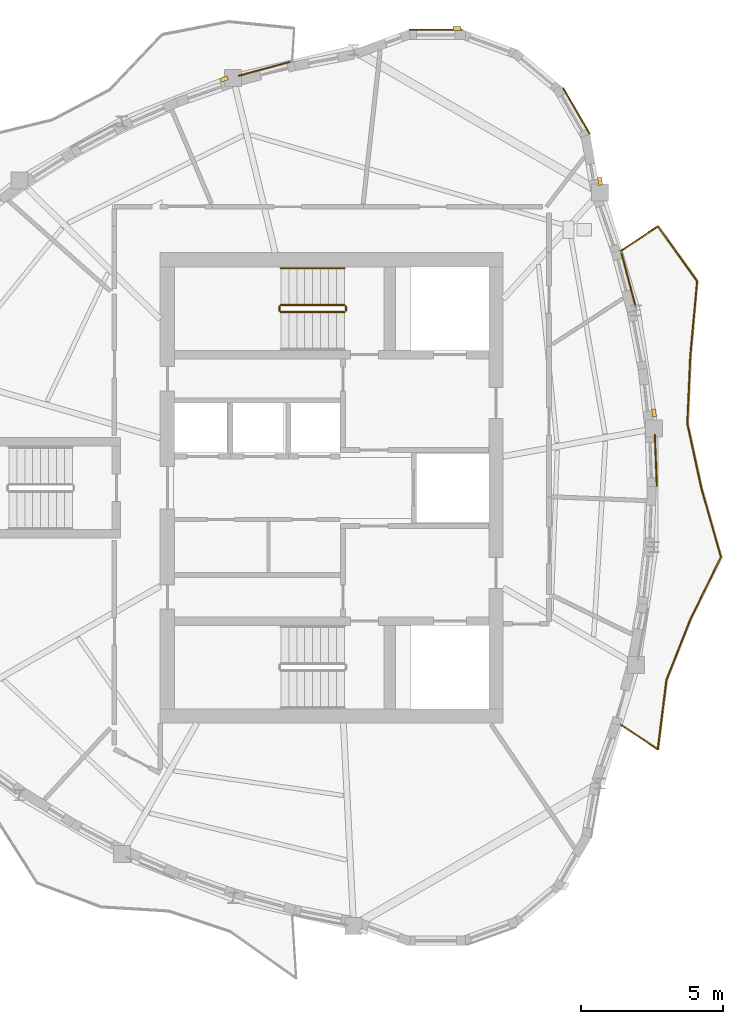
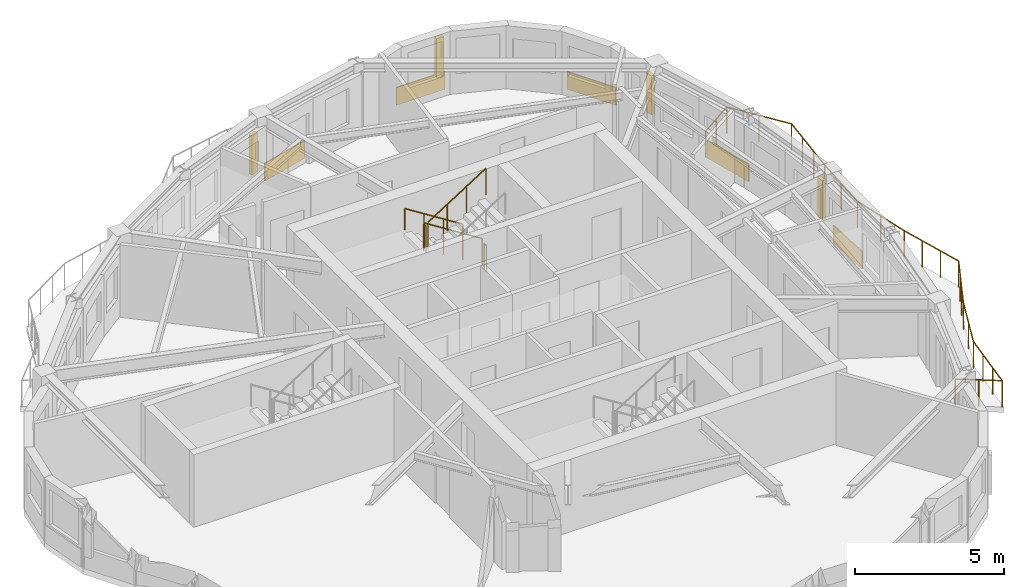
# One storey, part 10 of 11: 6 railings, 5 coverings, 4 shading devices.
"""IFC4 building model written with IfcOpenShell, lengths in metres."""

import ifcopenshell
import ifcopenshell.guid

model = None  # the IFC model being written
_history = None  # IfcOwnerHistory: only IFC2X3 demands one
_inside = {}  # id of a spatial element -> (the spatial element, [elements in it])
_under = {}  # id of a project, library or spatial element -> (it, [spatial elements below it])
_declared = {}  # id of a project -> (the project, [libraries it declares])
_typed = {}  # id of a type object -> (the type object, [elements of that type])
_made_of = {}  # id of a material, layer set ... -> (it, [elements and type objects made of it])


def new_model(schema):
    """Start an empty IFC model of exactly this schema.

    Asked for "IFC4X3", IfcOpenShell would pick the latest addendum, in which some entities
    have other attributes; the version numbers below select the first issue.
    IFC2X3 requires an IfcOwnerHistory on every rooted entity: one is made here for all.
    """
    global model, _history
    if schema == "IFC4X3":
        model = ifcopenshell.file(schema_version=(4, 3, 0, 0))
    else:
        model = ifcopenshell.file(schema=schema)
    _inside.clear()
    _under.clear()
    _declared.clear()
    _typed.clear()
    _made_of.clear()
    _history = None
    if model.schema == "IFC2X3":
        org = make("IfcOrganization", Name="unknown")
        user = make(
            "IfcPersonAndOrganization",
            ThePerson=make("IfcPerson", FamilyName="unknown"),
            TheOrganization=org,
        )
        app = make(
            "IfcApplication",
            ApplicationDeveloper=org,
            Version="unknown",
            ApplicationFullName="unknown",
            ApplicationIdentifier="unknown",
        )
        _history = make(
            "IfcOwnerHistory",
            OwningUser=user,
            OwningApplication=app,
            ChangeAction="ADDED",
            CreationDate=0,
        )
    return model


def make(cls, **values):
    """One entity of the class cls with the attributes given. An attribute that is None is left unset."""
    return model.create_entity(
        cls, **{name: value for name, value in values.items() if value is not None}
    )


def rooted(cls, **values):
    """An entity with a GlobalId (a new one), such as an element, a storey or a relation."""
    return make(cls, GlobalId=ifcopenshell.guid.new(), OwnerHistory=_history, **values)


def si_unit(unit_type, name, prefix=None):
    """IfcSIUnit, for example si_unit("LENGTHUNIT", "METRE", prefix="MILLI")."""
    return make("IfcSIUnit", UnitType=unit_type, Prefix=prefix, Name=name)


def assignment(units):
    """IfcUnitAssignment: the units of a project."""
    return None if units is None else make("IfcUnitAssignment", Units=units)


def point(xyz):
    """IfcCartesianPoint."""
    return None if xyz is None else make("IfcCartesianPoint", Coordinates=xyz)


def direction(xyz):
    """IfcDirection."""
    return None if xyz is None else make("IfcDirection", DirectionRatios=xyz)


def frame(location, z_axis=None, x_axis=None):
    """IfcAxis2Placement3D, a coordinate frame: its origin and axes. An axis left out is left unset."""
    return make(
        "IfcAxis2Placement3D",
        Location=point(location),
        Axis=direction(z_axis),
        RefDirection=direction(x_axis),
    )


def frame_2d(location, x_axis=None):
    """IfcAxis2Placement2D, a coordinate frame in the plane: its origin and x axis."""
    return make(
        "IfcAxis2Placement2D", Location=point(location), RefDirection=direction(x_axis)
    )


def origin():
    """The frame at (0, 0, 0) with its axes left unset."""
    return frame((0.0, 0.0, 0.0))


def origin_2d():
    """The frame at (0, 0) in the plane with its x axis left unset."""
    return frame_2d((0.0, 0.0))


def place(relative_to, where):
    """IfcLocalPlacement: puts the frame where relative to a parent placement (None: the world)."""
    return make(
        "IfcLocalPlacement", PlacementRelTo=relative_to, RelativePlacement=where
    )


def context(
    kind, dimensions, precision=None, world=None, true_north=None, identifier=None
):
    """IfcGeometricRepresentationContext, for example the 3D "Model" context."""
    return make(
        "IfcGeometricRepresentationContext",
        ContextIdentifier=identifier,
        ContextType=kind,
        CoordinateSpaceDimension=dimensions,
        Precision=precision,
        WorldCoordinateSystem=world,
        TrueNorth=true_north,
    )


def subcontext(parent, identifier, kind, view, scale=None):
    """IfcGeometricRepresentationSubContext, for example "Body" below "Model"."""
    return make(
        "IfcGeometricRepresentationSubContext",
        ContextIdentifier=identifier,
        ContextType=kind,
        ParentContext=parent,
        TargetScale=scale,
        TargetView=view,
    )


def project(units=None, contexts=None):
    """IfcProject with its units and contexts."""
    return rooted(
        "IfcProject",
        Name="project",
        RepresentationContexts=contexts,
        UnitsInContext=assignment(units),
    )


def spatial(cls, under=None, at=None, **own):
    """A site, building, storey or space (cls), placed at a placement, below another one or the project."""
    s = rooted(cls, ObjectPlacement=at, **own)
    if under is not None:
        _under.setdefault(under.id(), (under, []))[1].append(s)
    return s


def profile(cls, at=None, kind="AREA", **sizes):
    """A parametric profile (cls). Its sizes go by their IFC names, for example OverallWidth=200.0."""
    return make(cls, ProfileType=kind, Position=at, **sizes)


def rectangle(**sizes):
    """IfcRectangleProfileDef."""
    return profile("IfcRectangleProfileDef", **sizes)


def circle(**sizes):
    """IfcCircleProfileDef."""
    return profile("IfcCircleProfileDef", **sizes)


def extrude(swept, where, along, depth):
    """IfcExtrudedAreaSolid: the profile swept, set in the frame where, extruded along a direction by depth."""
    return make(
        "IfcExtrudedAreaSolid",
        SweptArea=swept,
        Position=where,
        ExtrudedDirection=direction(along),
        Depth=depth,
    )


def shape(context_of_items, identifier, shape_type, items):
    """IfcShapeRepresentation: the items that make up one representation, for example the "Body"."""
    return make(
        "IfcShapeRepresentation",
        ContextOfItems=context_of_items,
        RepresentationIdentifier=identifier,
        RepresentationType=shape_type,
        Items=items,
    )


def source(mapping_origin, context_of_items, identifier, shape_type, items):
    """IfcRepresentationMap: a shape defined once, which mapped items show again and again."""
    return make(
        "IfcRepresentationMap",
        MappingOrigin=mapping_origin,
        MappedRepresentation=shape(context_of_items, identifier, shape_type, items),
    )


def transform(
    local_origin,
    x_axis=None,
    y_axis=None,
    z_axis=None,
    scale=None,
    scale2=None,
    scale3=None,
    uniform=True,
):
    """IfcCartesianTransformationOperator3D, or its non-uniform kind. x_axis, y_axis, z_axis: its Axis1, 2, 3."""
    if uniform:
        return make(
            "IfcCartesianTransformationOperator3D",
            Axis1=direction(x_axis),
            Axis2=direction(y_axis),
            LocalOrigin=point(local_origin),
            Scale=scale,
            Axis3=direction(z_axis),
        )
    return make(
        "IfcCartesianTransformationOperator3DnonUniform",
        Axis1=direction(x_axis),
        Axis2=direction(y_axis),
        LocalOrigin=point(local_origin),
        Scale=scale,
        Axis3=direction(z_axis),
        Scale2=scale2,
        Scale3=scale3,
    )


def mapped(mapping_source, mapping_target):
    """IfcMappedItem: shows the shape of a source again, moved by a transform."""
    return make(
        "IfcMappedItem", MappingSource=mapping_source, MappingTarget=mapping_target
    )


def material(Name=None, Category=None):
    """IfcMaterial."""
    return make("IfcMaterial", Name=Name, Category=Category)


def layer(
    of_material, thickness, ventilated=None, Name=None, Category=None, Priority=None
):
    """IfcMaterialLayer: one layer of a wall or slab, of a material (None: an air gap)."""
    return make(
        "IfcMaterialLayer",
        Material=of_material,
        LayerThickness=thickness,
        IsVentilated=ventilated,
        Name=Name,
        Category=Category,
        Priority=Priority,
    )


def layer_set(layers, Name=None):
    """IfcMaterialLayerSet."""
    return make("IfcMaterialLayerSet", MaterialLayers=layers, LayerSetName=Name)


def made_of(thing, what):
    """Note that an element or type object is made of a material, layer set ...; save() writes the relation."""
    if what is not None:
        _made_of.setdefault(what.id(), (what, []))[1].append(thing)
    return thing


def type_object(cls, material=None, **own):
    """A type object (cls), such as IfcWallType, which elements share."""
    return made_of(rooted(cls, **own), material)


def element(
    cls,
    number,
    at=None,
    inside=None,
    cuts=None,
    type_object=None,
    material=None,
    context=None,
    identifier="Body",
    shape_type=None,
    held_by="IfcProductDefinitionShape",
    body=None,
    shapes=None,
    **own,
):
    """One element of the class cls, such as IfcWall. Its Tag is "e" and its number.

    at: its placement. inside: the storey or other place that contains it. cuts: it is an
    opening in that element (IfcRelVoidsElement). A single representation is given by context,
    identifier, shape_type and body (its items); several are given by shapes. held_by: the class
    of the entity that holds the representations. save() writes the other relations.
    """
    e = rooted(cls, Tag="e%d" % number, ObjectPlacement=at, **own)
    if body is not None:
        shapes = [shape(context, identifier, shape_type, body)]
    if shapes is not None:
        e.Representation = make(held_by, Representations=shapes)
    if inside is not None:
        _inside.setdefault(inside.id(), (inside, []))[1].append(e)
    if cuts is not None:
        rooted(
            "IfcRelVoidsElement", RelatingBuildingElement=cuts, RelatedOpeningElement=e
        )
    if type_object is not None:
        _typed.setdefault(type_object.id(), (type_object, []))[1].append(e)
    return made_of(e, material)


def aggregate(whole, parts):
    """IfcRelAggregates: a whole, such as a stair, and the parts it consists of."""
    return rooted("IfcRelAggregates", RelatingObject=whole, RelatedObjects=parts)


def save(model, path):
    """Write the relations noted so far, then the file.

    IfcRelAggregates (storeys below a building ...), IfcRelContainedInSpatialStructure (elements
    in a storey), IfcRelDefinesByType, IfcRelAssociatesMaterial and IfcRelDeclares: one each for
    every whole, place, type object, material and project.
    """
    for whole, parts in _under.values():
        aggregate(whole, parts)
    for where, things in _inside.values():
        rooted(
            "IfcRelContainedInSpatialStructure",
            RelatedElements=things,
            RelatingStructure=where,
        )
    for kind, things in _typed.values():
        rooted("IfcRelDefinesByType", RelatedObjects=things, RelatingType=kind)
    for what, things in _made_of.values():
        rooted("IfcRelAssociatesMaterial", RelatedObjects=things, RelatingMaterial=what)
    for by, libraries in _declared.values():
        rooted("IfcRelDeclares", RelatingContext=by, RelatedDefinitions=libraries)
    model.write(path)


model = new_model("IFC4")

# Units and contexts
model_context = context("Model", 3, precision=1e-05, world=origin(), true_north=direction((0.0, 1.0)))
body_context = subcontext(model_context, "Body", "Model", "MODEL_VIEW")
ifc_project = project(units=[si_unit("LENGTHUNIT", "METRE"), si_unit("AREAUNIT", "SQUARE_METRE"), si_unit("VOLUMEUNIT", "CUBIC_METRE"), si_unit("PLANEANGLEUNIT", "RADIAN"), si_unit("MASSUNIT", "GRAM", prefix="KILO")], contexts=[model_context])

# Site, building, storey
site_placement = place(None, origin())
site = spatial("IfcSite", under=ifc_project, at=site_placement, CompositionType="ELEMENT")
building_placement = place(site_placement, origin())
building = spatial("IfcBuilding", under=site, at=building_placement, Name="Qafzar Sky-Pleat Residences", CompositionType="ELEMENT")
storey_placement = place(building_placement, frame((0.0, 0.0, 227.60009765625)))
storey = spatial("IfcBuildingStorey", under=building, at=storey_placement, Name="L68", CompositionType="ELEMENT", Elevation=227.60009765625)

# Shading devices
ifc_material_1 = material(Name="Honed Riyadh limestone solar fin", Category="masonry")
ifc_layer_1 = layer(ifc_material_1, 0.139892578125)
ifc_layer_set_1 = layer_set([ifc_layer_1], Name="Honed Riyadh limestone solar fin")
shading_device_type = type_object("IfcShadingDeviceType", Name="SHD-FIN-STONE", PredefinedType="SHUTTER", material=ifc_layer_set_1)
shared_shape_1 = source(origin(), body_context, "Body", "SweptSolid", [
    extrude(rectangle(XDim=0.139892578125, YDim=0.280029296875, at=origin_2d()), origin(), (0.0, 0.0, 1.0), 1.60009765625),
])
for number, where, z_axis, x_axis, name in (
    (1, (41.72705078125, 28.64404296875, 0.599853515625), (0.0, 0.0, 1.0), (0.993560733934, 0.113300785454, 0.0), "L68 Limestone Solar Fin 29"),
    (2, (39.8203125, 36.8173828125, 0.599853515625), (0.0, 0.0, 1.0), (0.984806040716, 0.173657888303, 0.0), "L68 Limestone Solar Fin 33"),
    (3, (34.777587890625, 42.208251953125, 0.599853515625), (0.0, 0.0, 1.0), (0.0, 1.0, 0.0), "L68 Limestone Solar Fin 37"),
    (4, (26.555419921875, 40.423828125, 0.599853515625), (0.0, 0.0, 1.0), (-0.329574239936, 0.944129662902, 0.0), "L68 Limestone Solar Fin 41"),
):
    element("IfcShadingDevice", number, at=place(storey_placement, frame(where, z_axis=z_axis, x_axis=x_axis)), inside=storey, type_object=shading_device_type, Name=name, PredefinedType="SHUTTER", context=body_context, shape_type="MappedRepresentation", body=[
        mapped(shared_shape_1, transform((0.0, 0.0, 0.0), x_axis=(1.0, 0.0, 0.0), y_axis=(0.0, 1.0, 0.0), z_axis=(0.0, 0.0, 1.0), scale=1.0)),
    ])

# Coverings
ifc_material_2 = material(Name="Honed Riyadh Tuwaiq limestone cladding", Category="masonry")
ifc_layer_2 = layer(ifc_material_2, 0.044921875)
ifc_layer_set_2 = layer_set([ifc_layer_2], Name="Honed Riyadh Tuwaiq limestone cladding")
covering_type = type_object("IfcCoveringType", Name="COV-CLAD-STONE", PredefinedType="CLADDING", material=ifc_layer_set_2)
shared_shape_2 = source(origin(), body_context, "Body", "SweptSolid", [
    extrude(rectangle(XDim=1.88134765625, YDim=0.044921875, at=origin_2d()), origin(), (0.0, 0.0, 1.0), 0.719970703125),
])
covering_1_placement = place(storey_placement, frame((34.0224609375, 42.165283203125, 0.02001953125), z_axis=(0.0, 0.0, 1.0), x_axis=(-1.0, 0.0, 0.0)))
element("IfcCovering", 5, at=covering_1_placement, inside=storey, type_object=covering_type, Name="L68 Riyadh Limestone Spandrel Cladding 37", PredefinedType="CLADDING", context=body_context, shape_type="MappedRepresentation", body=[
    mapped(shared_shape_2, transform((0.0, 0.0, 0.0), x_axis=(1.0, 0.0, 0.0), y_axis=(0.0, 1.0, 0.0), z_axis=(0.0, 0.0, 1.0), scale=1.0)),
])
shared_shape_3 = source(origin(), body_context, "Body", "SweptSolid", [
    extrude(rectangle(XDim=1.881103515625, YDim=0.044921875, at=origin_2d()), origin(), (0.0, 0.0, 1.0), 0.719970703125),
])
covering_2_placement = place(storey_placement, frame((38.98828125, 39.298095703125, 0.02001953125), z_axis=(0.0, 0.0, 1.0), x_axis=(-0.499993018474, 0.866029434533, 0.0)))
element("IfcCovering", 6, at=covering_2_placement, inside=storey, type_object=covering_type, Name="L68 Riyadh Limestone Spandrel Cladding 34", PredefinedType="CLADDING", context=body_context, shape_type="MappedRepresentation", body=[
    mapped(shared_shape_3, transform((0.0, 0.0, 0.0), x_axis=(1.0, 0.0, 0.0), y_axis=(0.0, 1.0, 0.0), z_axis=(0.0, 0.0, 1.0), scale=1.0)),
])

# Railing
ifc_material_3 = material(Name="Laminated glass and bronze steel balustrade", Category="steel")
railing_type_1 = type_object("IfcRailingType", Name="RAIL-BAL-1100", PredefinedType="BALUSTRADE", material=ifc_material_3)
shared_shape_4 = source(origin(), body_context, "Body", "SweptSolid", [
    extrude(circle(Radius=0.02392578125, at=origin_2d()), frame((0.0, 0.0, 1.076171875), z_axis=(0.832430893793, -0.554128872248, 0.0), x_axis=(0.554128872248, 0.832430893793, 0.0)), (0.0, 0.0, 1.0), 1.578125),
    extrude(circle(Radius=0.02392578125, at=origin_2d()), frame((1.313720703125, -0.87451171875, 1.076171875), z_axis=(0.123317747396, 0.992367237053, 0.0), x_axis=(-0.992367237053, 0.123317747396, 0.0)), (0.0, 0.0, 1.0), 2.47265625),
    extrude(circle(Radius=0.02392578125, at=origin_2d()), frame((1.61865234375, 1.579345703125, 1.076171875), z_axis=(0.367564550972, 0.929998011218, 0.0), x_axis=(-0.929998011218, 0.367564550972, 0.0)), (0.0, 0.0, 1.0), 2.290283203125),
    extrude(circle(Radius=0.02392578125, at=origin_2d()), frame((2.46044921875, 3.709228515625, 1.076171875), z_axis=(0.441781559588, 0.897122652488, 0.0), x_axis=(-0.897122652488, 0.441781559588, 0.0)), (0.0, 0.0, 1.0), 2.44873046875),
    extrude(circle(Radius=0.02392578125, at=origin_2d()), frame((3.542236328125, 5.906005859375, 1.076171875), z_axis=(-0.272944830922, 0.962029687314, 0.0), x_axis=(-0.962029687314, -0.272944830922, 0.0)), (0.0, 0.0, 1.0), 2.5419921875),
    extrude(circle(Radius=0.02392578125, at=origin_2d()), frame((2.848388671875, 8.3515625, 1.076171875), z_axis=(-0.212534582308, 0.977153545418, 0.0), x_axis=(-0.977153545418, -0.212534582308, 0.0)), (0.0, 0.0, 1.0), 2.318115234375),
    extrude(circle(Radius=0.02392578125, at=origin_2d()), frame((2.355712890625, 10.61669921875, 1.076171875), z_axis=(0.044016044327, 0.99903082427, 0.0), x_axis=(-0.99903082427, 0.044016044327, 0.0)), (0.0, 0.0, 1.0), 2.37939453125),
    extrude(circle(Radius=0.02392578125, at=origin_2d()), frame((2.46044921875, 12.993896484375, 1.076171875), z_axis=(0.090643390845, 0.995883414711, 0.0), x_axis=(-0.995883414711, 0.090643390845, 0.0)), (0.0, 0.0, 1.0), 2.658447265625),
    extrude(circle(Radius=0.02392578125, at=origin_2d()), frame((2.701416015625, 15.641357421875, 1.076171875), z_axis=(-0.582526840805, 0.812811466296, 0.0), x_axis=(-0.812811466296, -0.582526840805, 0.0)), (0.0, 0.0, 1.0), 2.382080078125),
    extrude(circle(Radius=0.02392578125, at=origin_2d()), frame((1.313720703125, 17.57763671875, 1.076171875), z_axis=(-0.832430893793, -0.554128872248, 0.0), x_axis=(0.554128872248, -0.832430893793, 0.0)), (0.0, 0.0, 1.0), 1.578125),
    extrude(circle(Radius=0.02099609375, at=origin_2d()), origin(), (0.0, 0.0, 1.0), 1.052001953125),
    extrude(circle(Radius=0.02099609375, at=origin_2d()), frame((0.65673828125, -0.437255859375, 0.0)), (0.0, 0.0, 1.0), 1.052001953125),
    extrude(circle(Radius=0.02099609375, at=origin_2d()), frame((1.313720703125, -0.87451171875, 0.0)), (0.0, 0.0, 1.0), 1.052001953125),
    extrude(circle(Radius=0.02099609375, at=origin_2d()), frame((1.415283203125, -0.056640625, 0.0)), (0.0, 0.0, 1.0), 1.052001953125),
    extrude(circle(Radius=0.02099609375, at=origin_2d()), frame((1.51708984375, 0.761474609375, 0.0)), (0.0, 0.0, 1.0), 1.052001953125),
    extrude(circle(Radius=0.02099609375, at=origin_2d()), frame((1.61865234375, 1.579345703125, 0.0)), (0.0, 0.0, 1.0), 1.052001953125),
    extrude(circle(Radius=0.02099609375, at=origin_2d()), frame((2.03955078125, 2.644287109375, 0.0)), (0.0, 0.0, 1.0), 1.052001953125),
    extrude(circle(Radius=0.02099609375, at=origin_2d()), frame((2.46044921875, 3.709228515625, 0.0)), (0.0, 0.0, 1.0), 1.052001953125),
    extrude(circle(Radius=0.02099609375, at=origin_2d()), frame((2.821044921875, 4.44140625, 0.0)), (0.0, 0.0, 1.0), 1.052001953125),
    extrude(circle(Radius=0.02099609375, at=origin_2d()), frame((3.181640625, 5.173828125, 0.0)), (0.0, 0.0, 1.0), 1.052001953125),
    extrude(circle(Radius=0.02099609375, at=origin_2d()), frame((3.542236328125, 5.906005859375, 0.0)), (0.0, 0.0, 1.0), 1.052001953125),
    extrude(circle(Radius=0.02099609375, at=origin_2d()), frame((3.31103515625, 6.72119140625, 0.0)), (0.0, 0.0, 1.0), 1.052001953125),
    extrude(circle(Radius=0.02099609375, at=origin_2d()), frame((3.07958984375, 7.536376953125, 0.0)), (0.0, 0.0, 1.0), 1.052001953125),
    extrude(circle(Radius=0.02099609375, at=origin_2d()), frame((2.848388671875, 8.3515625, 0.0)), (0.0, 0.0, 1.0), 1.052001953125),
    extrude(circle(Radius=0.02099609375, at=origin_2d()), frame((2.60205078125, 9.484130859375, 0.0)), (0.0, 0.0, 1.0), 1.052001953125),
    extrude(circle(Radius=0.02099609375, at=origin_2d()), frame((2.355712890625, 10.61669921875, 0.0)), (0.0, 0.0, 1.0), 1.052001953125),
    extrude(circle(Radius=0.02099609375, at=origin_2d()), frame((2.408203125, 11.80517578125, 0.0)), (0.0, 0.0, 1.0), 1.052001953125),
    extrude(circle(Radius=0.02099609375, at=origin_2d()), frame((2.46044921875, 12.993896484375, 0.0)), (0.0, 0.0, 1.0), 1.052001953125),
    extrude(circle(Radius=0.02099609375, at=origin_2d()), frame((2.540771484375, 13.87646484375, 0.0)), (0.0, 0.0, 1.0), 1.052001953125),
    extrude(circle(Radius=0.02099609375, at=origin_2d()), frame((2.62109375, 14.7587890625, 0.0)), (0.0, 0.0, 1.0), 1.052001953125),
    extrude(circle(Radius=0.02099609375, at=origin_2d()), frame((2.701416015625, 15.641357421875, 0.0)), (0.0, 0.0, 1.0), 1.052001953125),
    extrude(circle(Radius=0.02099609375, at=origin_2d()), frame((2.007568359375, 16.609375, 0.0)), (0.0, 0.0, 1.0), 1.052001953125),
    extrude(circle(Radius=0.02099609375, at=origin_2d()), frame((1.313720703125, 17.57763671875, 0.0)), (0.0, 0.0, 1.0), 1.052001953125),
    extrude(circle(Radius=0.02099609375, at=origin_2d()), frame((0.65673828125, 17.140380859375, 0.0)), (0.0, 0.0, 1.0), 1.052001953125),
    extrude(circle(Radius=0.02099609375, at=origin_2d()), frame((0.0, 16.703125, 0.0)), (0.0, 0.0, 1.0), 1.052001953125),
])
railing_1_placement = place(storey_placement, frame((40.5458984375, 17.6484375, 0.0)))
element("IfcRailing", 7, at=railing_1_placement, inside=storey, type_object=railing_type_1, Name="L68 Pleated Balcony 1 Balustrade", PredefinedType="BALUSTRADE", context=body_context, shape_type="MappedRepresentation", body=[
    mapped(shared_shape_4, transform((0.0, 0.0, 0.0), x_axis=(1.0, 0.0, 0.0), y_axis=(0.0, 1.0, 0.0), z_axis=(0.0, 0.0, 1.0), scale=1.0)),
])

# Coverings
shared_shape_5 = source(origin(), body_context, "Body", "SweptSolid", [
    extrude(rectangle(XDim=1.832275390625, YDim=0.044921875, at=origin_2d()), origin(), (0.0, 0.0, 1.0), 0.719970703125),
])
covering_3_placement = place(storey_placement, frame((41.789306640625, 26.97998046875, 0.02001953125), z_axis=(0.0, 0.0, 1.0), x_axis=(-0.037970925953, 0.999278844358, 0.0)))
element("IfcCovering", 8, at=covering_3_placement, inside=storey, type_object=covering_type, Name="L68 Riyadh Limestone Spandrel Cladding 28", PredefinedType="CLADDING", context=body_context, shape_type="MappedRepresentation", body=[
    mapped(shared_shape_5, transform((0.0, 0.0, 0.0), x_axis=(1.0, 0.0, 0.0), y_axis=(0.0, 1.0, 0.0), z_axis=(0.0, 0.0, 1.0), scale=1.0)),
])
shared_shape_6 = source(origin(), body_context, "Body", "SweptSolid", [
    extrude(rectangle(XDim=1.958984375, YDim=0.044921875, at=origin_2d()), origin(), (0.0, 0.0, 1.0), 0.719970703125),
])
covering_4_placement = place(storey_placement, frame((40.8271484375, 33.335693359375, 0.02001953125), z_axis=(0.0, 0.0, 1.0), x_axis=(-0.257036396739, 0.966401723276, 0.0)))
element("IfcCovering", 9, at=covering_4_placement, inside=storey, type_object=covering_type, Name="L68 Riyadh Limestone Spandrel Cladding 31", PredefinedType="CLADDING", context=body_context, shape_type="MappedRepresentation", body=[
    mapped(shared_shape_6, transform((0.0, 0.0, 0.0), x_axis=(1.0, 0.0, 0.0), y_axis=(0.0, 1.0, 0.0), z_axis=(0.0, 0.0, 1.0), scale=1.0)),
])
shared_shape_7 = source(origin(), body_context, "Body", "SweptSolid", [
    extrude(rectangle(XDim=1.89599609375, YDim=0.044921875, at=origin_2d()), origin(), (0.0, 0.0, 1.0), 0.719970703125),
])
covering_5_placement = place(storey_placement, frame((27.972900390625, 40.78564453125, 0.02001953125), z_axis=(0.0, 0.0, 1.0), x_axis=(-0.965462520828, -0.260541975268, 0.0)))
element("IfcCovering", 10, at=covering_5_placement, inside=storey, type_object=covering_type, Name="L68 Riyadh Limestone Spandrel Cladding 40", PredefinedType="CLADDING", context=body_context, shape_type="MappedRepresentation", body=[
    mapped(shared_shape_7, transform((0.0, 0.0, 0.0), x_axis=(1.0, 0.0, 0.0), y_axis=(0.0, 1.0, 0.0), z_axis=(0.0, 0.0, 1.0), scale=1.0)),
])

# Railings
ifc_material_4 = material(Name="Painted Steel S355 stair guardrail", Category="steel")
railing_type_2 = type_object("IfcRailingType", Name="RAIL-STAIR-GUARD", PredefinedType="GUARDRAIL", material=ifc_material_4)
shared_shape_8 = source(origin(), body_context, "Body", "SweptSolid", [
    extrude(circle(Radius=0.02392578125, at=origin_2d()), frame((0.0, 0.0, 1.076171875), z_axis=(0.0, -1.0, 0.0), x_axis=(1.0, 0.0, 0.0)), (0.0, 0.0, 1.0), 0.14990234375),
    extrude(circle(Radius=0.02099609375, at=origin_2d()), origin(), (0.0, 0.0, 1.0), 1.052001953125),
    extrude(circle(Radius=0.02099609375, at=origin_2d()), frame((0.0, -0.14990234375, 0.0)), (0.0, 0.0, 1.0), 1.052001953125),
])
for number, where, name in (
    (11, (28.510009765625, 32.39990234375, 1.599853515625), "L68 ST2 stair guard 2"),
    (12, (30.85009765625, 32.39990234375, 0.0), "L68 ST2 stair guard 4"),
):
    element("IfcRailing", number, at=place(storey_placement, frame(where)), inside=storey, type_object=railing_type_2, Name=name, PredefinedType="GUARDRAIL", context=body_context, shape_type="MappedRepresentation", body=[
        mapped(shared_shape_8, transform((0.0, 0.0, 0.0), x_axis=(1.0, 0.0, 0.0), y_axis=(0.0, 1.0, 0.0), z_axis=(0.0, 0.0, 1.0), scale=1.0)),
    ])
shared_shape_9 = source(origin(), body_context, "Body", "SweptSolid", [
    extrude(circle(Radius=0.02392578125, at=origin_2d()), frame((0.0, 0.0, 1.076171875), z_axis=(-0.8442293374, 0.0, 0.53598211339), x_axis=(0.0, -1.0, 0.0)), (0.0, 0.0, 1.0), 2.6533203125),
    extrude(circle(Radius=0.02099609375, at=origin_2d()), origin(), (0.0, 0.0, 1.0), 1.052001953125),
    extrude(circle(Radius=0.02099609375, at=origin_2d()), frame((-0.74658203125, 0.0, 0.47412109375)), (0.0, 0.0, 1.0), 1.052001953125),
    extrude(circle(Radius=0.02099609375, at=origin_2d()), frame((-1.493408203125, 0.0, 0.947998046875)), (0.0, 0.0, 1.0), 1.052001953125),
    extrude(circle(Radius=0.02099609375, at=origin_2d()), frame((-2.239990234375, 0.0, 1.422119140625)), (0.0, 0.0, 1.0), 1.052001953125),
])
railing_2_placement = place(storey_placement, frame((30.800048828125, 32.449951171875, 0.177734375)))
element("IfcRailing", 13, at=railing_2_placement, inside=storey, type_object=railing_type_2, Name="L68 ST2 stair guard 1", PredefinedType="GUARDRAIL", context=body_context, shape_type="MappedRepresentation", body=[
    mapped(shared_shape_9, transform((0.0, 0.0, 0.0), x_axis=(1.0, 0.0, 0.0), y_axis=(0.0, 1.0, 0.0), z_axis=(0.0, 0.0, 1.0), scale=1.0)),
])
ifc_material_5 = material(Name="Brushed stainless steel handrail", Category="steel")
railing_type_3 = type_object("IfcRailingType", Name="RAIL-STAIR-HAND", PredefinedType="HANDRAIL", material=ifc_material_5)
shared_shape_10 = source(origin(), body_context, "Body", "SweptSolid", [
    extrude(circle(Radius=0.02392578125, at=origin_2d()), frame((0.0, 0.0, 0.8759765625), z_axis=(-0.8442293374, 0.0, 0.53598211339), x_axis=(0.0, -1.0, 0.0)), (0.0, 0.0, 1.0), 2.6533203125),
    extrude(circle(Radius=0.02099609375, at=origin_2d()), origin(), (0.0, 0.0, 1.0), 0.851806640625),
    extrude(circle(Radius=0.02099609375, at=origin_2d()), frame((-0.74658203125, 0.0, 0.47412109375)), (0.0, 0.0, 1.0), 0.851806640625),
    extrude(circle(Radius=0.02099609375, at=origin_2d()), frame((-1.493408203125, 0.0, 0.947998046875)), (0.0, 0.0, 1.0), 0.851806640625),
    extrude(circle(Radius=0.02099609375, at=origin_2d()), frame((-2.239990234375, 0.0, 1.422119140625)), (0.0, 0.0, 1.0), 0.851806640625),
])
railing_3_placement = place(storey_placement, frame((30.800048828125, 33.75, 0.177734375)))
element("IfcRailing", 14, at=railing_3_placement, inside=storey, type_object=railing_type_3, Name="L68 ST2 stair handrail 1", PredefinedType="HANDRAIL", context=body_context, shape_type="MappedRepresentation", body=[
    mapped(shared_shape_10, transform((0.0, 0.0, 0.0), x_axis=(1.0, 0.0, 0.0), y_axis=(0.0, 1.0, 0.0), z_axis=(0.0, 0.0, 1.0), scale=1.0)),
])
shared_shape_11 = source(origin(), body_context, "Body", "SweptSolid", [
    extrude(circle(Radius=0.02392578125, at=origin_2d()), frame((0.0, 0.0, 1.076171875), z_axis=(0.84418770128, 0.0, 0.536047689118), x_axis=(0.0, 1.0, 0.0)), (0.0, 0.0, 1.0), 2.6533203125),
    extrude(circle(Radius=0.02099609375, at=origin_2d()), origin(), (0.0, 0.0, 1.0), 1.052001953125),
    extrude(circle(Radius=0.02099609375, at=origin_2d()), frame((0.74658203125, 0.0, 0.47412109375)), (0.0, 0.0, 1.0), 1.052001953125),
    extrude(circle(Radius=0.02099609375, at=origin_2d()), frame((1.493408203125, 0.0, 0.9482421875)), (0.0, 0.0, 1.0), 1.052001953125),
    extrude(circle(Radius=0.02099609375, at=origin_2d()), frame((2.239990234375, 0.0, 1.42236328125)), (0.0, 0.0, 1.0), 1.052001953125),
])
railing_4_placement = place(storey_placement, frame((28.56005859375, 32.199951171875, 1.777587890625)))
element("IfcRailing", 15, at=railing_4_placement, inside=storey, type_object=railing_type_2, Name="L68 ST2 stair guard 3", PredefinedType="GUARDRAIL", context=body_context, shape_type="MappedRepresentation", body=[
    mapped(shared_shape_11, transform((0.0, 0.0, 0.0), x_axis=(1.0, 0.0, 0.0), y_axis=(0.0, 1.0, 0.0), z_axis=(0.0, 0.0, 1.0), scale=1.0)),
])

save(model, "model.ifc")
